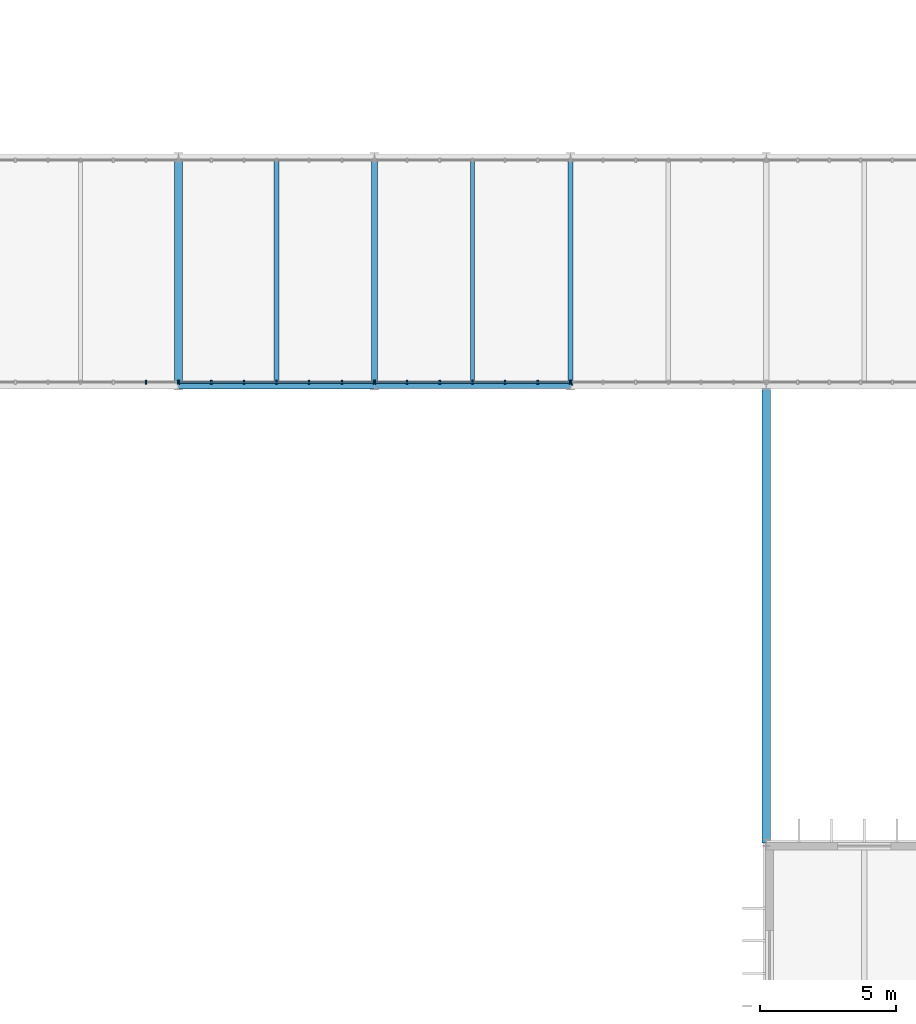
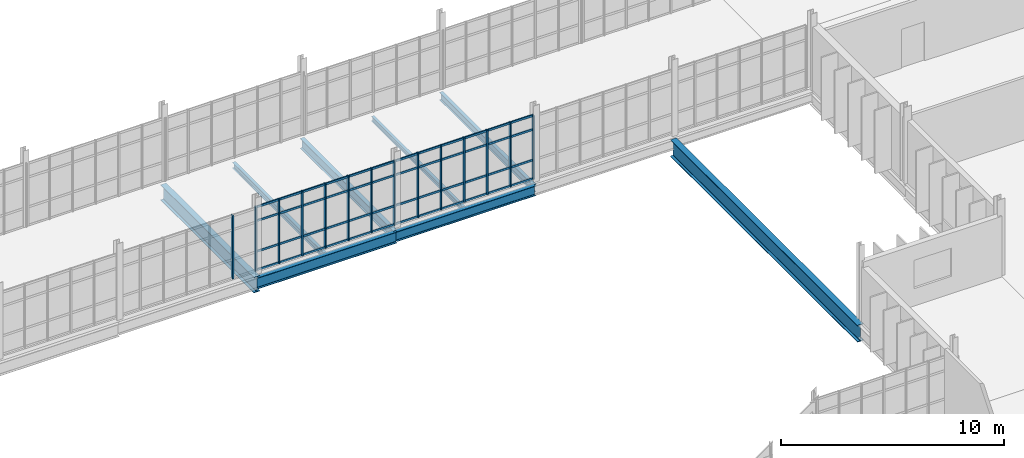
# One storey, part 38 of 119: 25 members, 8 beams, 4 elements without a shape of their own.
"""IFC4 building model written with IfcOpenShell, lengths in metres."""

from ifc_helpers import new_model, si_unit, direction, frame, origin, origin_2d, place, context, subcontext, project, spatial, rectangle, i_section, extrude, material, material_profile, profile_set, type_object, element, aggregate, save


model = new_model("IFC4")

# Units and contexts
model_context = context("Model", 3, precision=1e-05, world=origin(), true_north=direction((0.0, 1.0)))
body_context = subcontext(model_context, "Body", "Model", "MODEL_VIEW")
ifc_project = project(units=[si_unit("LENGTHUNIT", "METRE"), si_unit("AREAUNIT", "SQUARE_METRE"), si_unit("VOLUMEUNIT", "CUBIC_METRE"), si_unit("PLANEANGLEUNIT", "RADIAN"), si_unit("MASSUNIT", "GRAM", prefix="KILO")], contexts=[model_context])

# Site, building, storey
site_placement = place(None, origin())
site = spatial("IfcSite", under=ifc_project, at=site_placement, CompositionType="ELEMENT")
building_placement = place(site_placement, origin())
building = spatial("IfcBuilding", under=site, at=building_placement, Name="Qelthora Terrace Specialist Clinic", CompositionType="ELEMENT")
storey_placement = place(building_placement, frame((0.0, 0.0, 4.800048828125)))
storey = spatial("IfcBuildingStorey", under=building, at=storey_placement, Name="L01", CompositionType="ELEMENT", Elevation=4.800048828125)

# Beams
ifc_material_1 = material(Name="Steel S355", Category="steel")
ifc_material_profile_1 = material_profile(ifc_material_1, i_section(OverallWidth=0.179931640625, OverallDepth=0.4130859375, WebThickness=0.009765625, FlangeThickness=0.01611328125, FilletRadius=0.011962890625, at=origin_2d()), Name="W410X75")
ifc_profile_set_1 = profile_set([ifc_material_profile_1], Name="Steel S355")
beam_type_1 = type_object("IfcBeamType", Name="BM-W410X75", PredefinedType="BEAM", material=ifc_profile_set_1)
beam_1_placement = place(storey_placement, frame((79.199951171875, 58.800048828125, -0.45654296875), z_axis=(0.0, 1.0, 0.0), x_axis=(-1.0, 0.0, 0.0)))
element("IfcBeam", 1, at=beam_1_placement, inside=storey, type_object=beam_type_1, Name="Girder BMY-L01-0439", PredefinedType="BEAM", context=body_context, shape_type="SweptSolid", body=[
    extrude(i_section(OverallWidth=0.179931640625, OverallDepth=0.4130859375, WebThickness=0.009765625, FlangeThickness=0.01611328125, FilletRadius=0.011962890625, at=origin_2d()), origin(), (0.0, 0.0, 1.0), 8.39990234375),
])
ifc_material_profile_2 = material_profile(ifc_material_1, i_section(OverallWidth=0.2119140625, OverallDepth=0.5439453125, WebThickness=0.01318359375, FlangeThickness=0.021240234375, FilletRadius=0.013916015625, at=origin_2d()), Name="W530X123")
ifc_profile_set_2 = profile_set([ifc_material_profile_2], Name="Steel S355")
beam_type_2 = type_object("IfcBeamType", Name="BM-W530X123", PredefinedType="BEAM", material=ifc_profile_set_2)
beam_2_placement = place(storey_placement, frame((72.0, 58.800048828125, -0.52197265625), z_axis=(1.0, 0.0, 0.0), x_axis=(0.0, 1.0, 0.0)))
element("IfcBeam", 2, at=beam_2_placement, inside=storey, type_object=beam_type_2, Name="Girder BMX-L01-0243", PredefinedType="BEAM", context=body_context, shape_type="SweptSolid", body=[
    extrude(i_section(OverallWidth=0.2119140625, OverallDepth=0.5439453125, WebThickness=0.01318359375, FlangeThickness=0.021240234375, FilletRadius=0.013916015625, at=origin_2d()), origin(), (0.0, 0.0, 1.0), 7.199951171875),
])
beam_3_placement = place(storey_placement, frame((72.0, 58.800048828125, -0.52197265625), z_axis=(0.0, 1.0, 0.0), x_axis=(-1.0, 0.0, 0.0)))
element("IfcBeam", 3, at=beam_3_placement, inside=storey, type_object=beam_type_2, Name="Girder BMY-L01-0435", PredefinedType="BEAM", context=body_context, shape_type="SweptSolid", body=[
    extrude(i_section(OverallWidth=0.2119140625, OverallDepth=0.5439453125, WebThickness=0.01318359375, FlangeThickness=0.021240234375, FilletRadius=0.013916015625, at=origin_2d()), origin(), (0.0, 0.0, 1.0), 8.39990234375),
])
ifc_material_profile_3 = material_profile(ifc_material_1, i_section(OverallWidth=0.22900390625, OverallDepth=0.612060546875, WebThickness=0.011962890625, FlangeThickness=0.01953125, FilletRadius=0.01611328125, at=origin_2d()), Name="W610X125")
ifc_profile_set_3 = profile_set([ifc_material_profile_3], Name="Steel S355")
beam_type_3 = type_object("IfcBeamType", Name="BM-W610X125", PredefinedType="BEAM", material=ifc_profile_set_3)
beam_4_placement = place(storey_placement, frame((64.800048828125, 58.800048828125, -0.55615234375), z_axis=(1.0, 0.0, 0.0), x_axis=(0.0, 1.0, 0.0)))
element("IfcBeam", 4, at=beam_4_placement, inside=storey, type_object=beam_type_3, Name="Girder BMX-L01-0242", PredefinedType="BEAM", context=body_context, shape_type="SweptSolid", body=[
    extrude(i_section(OverallWidth=0.22900390625, OverallDepth=0.612060546875, WebThickness=0.011962890625, FlangeThickness=0.01953125, FilletRadius=0.01611328125, at=origin_2d()), origin(), (0.0, 0.0, 1.0), 7.199951171875),
])
ifc_material_profile_4 = material_profile(ifc_material_1, i_section(OverallWidth=0.2939453125, OverallDepth=0.85107421875, WebThickness=0.01611328125, FlangeThickness=0.02685546875, FilletRadius=0.02001953125, at=origin_2d()), Name="W840X226")
ifc_profile_set_4 = profile_set([ifc_material_profile_4], Name="Steel S355")
beam_type_4 = type_object("IfcBeamType", Name="BM-W840X226", PredefinedType="BEAM", material=ifc_profile_set_4)
beam_5_placement = place(storey_placement, frame((64.800048828125, 58.800048828125, -0.675537109375), z_axis=(0.0, 1.0, 0.0), x_axis=(-1.0, 0.0, 0.0)))
element("IfcBeam", 5, at=beam_5_placement, inside=storey, type_object=beam_type_4, Name="Girder BMY-L01-0431", PredefinedType="BEAM", context=body_context, shape_type="SweptSolid", body=[
    extrude(i_section(OverallWidth=0.2939453125, OverallDepth=0.85107421875, WebThickness=0.01611328125, FlangeThickness=0.02685546875, FilletRadius=0.02001953125, at=origin_2d()), origin(), (0.0, 0.0, 1.0), 8.39990234375),
])
ifc_material_profile_5 = material_profile(ifc_material_1, i_section(OverallWidth=0.30810546875, OverallDepth=0.927001953125, WebThickness=0.019287109375, FlangeThickness=0.031982421875, FilletRadius=0.02197265625, at=origin_2d()), Name="W920X289")
ifc_profile_set_5 = profile_set([ifc_material_profile_5], Name="Steel S355")
beam_type_5 = type_object("IfcBeamType", Name="BM-W920X289", PredefinedType="BEAM", material=ifc_profile_set_5)
beam_6_placement = place(storey_placement, frame((86.39990234375, 42.0, -0.713623046875), z_axis=(0.0, 1.0, 0.0), x_axis=(-1.0, 0.0, 0.0)))
element("IfcBeam", 6, at=beam_6_placement, inside=storey, type_object=beam_type_5, Name="Girder BMY-L01-0444", PredefinedType="BEAM", context=body_context, shape_type="SweptSolid", body=[
    extrude(i_section(OverallWidth=0.30810546875, OverallDepth=0.927001953125, WebThickness=0.019287109375, FlangeThickness=0.031982421875, FilletRadius=0.02197265625, at=origin_2d()), origin(), (0.0, 0.0, 1.0), 16.800048828125),
])

# Curtain wall, members
ifc_material_2 = material(Name="Aluminium anodized bronze", Category="aluminium")
curtain_wall_type = type_object("IfcCurtainWallType", Name="CW-BRG-L01", PredefinedType="NOTDEFINED", material=ifc_material_2)
curtain_wall_1_placement = place(storey_placement, origin())
curtain_wall_1 = element("IfcCurtainWall", 7, at=curtain_wall_1_placement, inside=storey, type_object=curtain_wall_type, Name="Curtain wall CW-L01-229", PredefinedType="NOTDEFINED")
ifc_material_profile_6 = material_profile(ifc_material_2, rectangle(XDim=0.06005859375, YDim=0.14990234375, at=origin_2d()), Name="CWM60X150")
ifc_profile_set_6 = profile_set([ifc_material_profile_6], Name="Aluminium anodized bronze")
member_type_1 = type_object("IfcMemberType", Name="CWM-60X150", PredefinedType="MULLION", material=ifc_profile_set_6)
member_1_placement = place(storey_placement, frame((63.60009765625, 58.919921875, 0.0), z_axis=(0.0, 0.0, 1.0), x_axis=(1.0, 0.0, 0.0)))
member_1 = element("IfcMember", 8, at=member_1_placement, type_object=member_type_1, Name="CW-L01-229 mullion 6", PredefinedType="MULLION", context=body_context, shape_type="SweptSolid", body=[
    extrude(rectangle(XDim=0.06005859375, YDim=0.14990234375, at=origin_2d()), origin(), (0.0, 0.0, 1.0), 3.48193359375),
])
member_2_placement = place(storey_placement, frame((64.780029296875, 58.919921875, 0.0), z_axis=(0.0, 0.0, 1.0), x_axis=(1.0, 0.0, 0.0)))
member_2 = element("IfcMember", 9, at=member_2_placement, type_object=member_type_1, Name="CW-L01-229 mullion 7", PredefinedType="MULLION", context=body_context, shape_type="SweptSolid", body=[
    extrude(rectangle(XDim=0.06005859375, YDim=0.14990234375, at=origin_2d()), origin(), (0.0, 0.0, 1.0), 3.48193359375),
])
aggregate(curtain_wall_1, [member_1, member_2])

curtain_wall_2_placement = place(storey_placement, origin())
curtain_wall_2 = element("IfcCurtainWall", 10, at=curtain_wall_2_placement, inside=storey, type_object=curtain_wall_type, Name="Curtain wall CW-L01-230", PredefinedType="NOTDEFINED")
member_3_placement = place(storey_placement, frame((64.820068359375, 58.919921875, 0.0), z_axis=(0.0, 0.0, 1.0), x_axis=(1.0, 0.0, 0.0)))
member_3 = element("IfcMember", 11, at=member_3_placement, type_object=member_type_1, Name="CW-L01-230 mullion 1", PredefinedType="MULLION", context=body_context, shape_type="SweptSolid", body=[
    extrude(rectangle(XDim=0.06005859375, YDim=0.14990234375, at=origin_2d()), origin(), (0.0, 0.0, 1.0), 3.529052734375),
])
member_4_placement = place(storey_placement, frame((66.0, 58.919921875, 0.0), z_axis=(0.0, 0.0, 1.0), x_axis=(1.0, 0.0, 0.0)))
member_4 = element("IfcMember", 12, at=member_4_placement, type_object=member_type_1, Name="CW-L01-230 mullion 2", PredefinedType="MULLION", context=body_context, shape_type="SweptSolid", body=[
    extrude(rectangle(XDim=0.06005859375, YDim=0.14990234375, at=origin_2d()), origin(), (0.0, 0.0, 1.0), 3.529052734375),
])
member_5_placement = place(storey_placement, frame((67.199951171875, 58.919921875, 0.0), z_axis=(0.0, 0.0, 1.0), x_axis=(1.0, 0.0, 0.0)))
member_5 = element("IfcMember", 13, at=member_5_placement, type_object=member_type_1, Name="CW-L01-230 mullion 3", PredefinedType="MULLION", context=body_context, shape_type="SweptSolid", body=[
    extrude(rectangle(XDim=0.06005859375, YDim=0.14990234375, at=origin_2d()), origin(), (0.0, 0.0, 1.0), 3.529052734375),
])
member_6_placement = place(storey_placement, frame((68.39990234375, 58.919921875, 0.0), z_axis=(0.0, 0.0, 1.0), x_axis=(1.0, 0.0, 0.0)))
member_6 = element("IfcMember", 14, at=member_6_placement, type_object=member_type_1, Name="CW-L01-230 mullion 4", PredefinedType="MULLION", context=body_context, shape_type="SweptSolid", body=[
    extrude(rectangle(XDim=0.06005859375, YDim=0.14990234375, at=origin_2d()), origin(), (0.0, 0.0, 1.0), 3.529052734375),
])
member_7_placement = place(storey_placement, frame((69.60009765625, 58.919921875, 0.0), z_axis=(0.0, 0.0, 1.0), x_axis=(1.0, 0.0, 0.0)))
member_7 = element("IfcMember", 15, at=member_7_placement, type_object=member_type_1, Name="CW-L01-230 mullion 5", PredefinedType="MULLION", context=body_context, shape_type="SweptSolid", body=[
    extrude(rectangle(XDim=0.06005859375, YDim=0.14990234375, at=origin_2d()), origin(), (0.0, 0.0, 1.0), 3.529052734375),
])
member_8_placement = place(storey_placement, frame((70.800048828125, 58.919921875, 0.0), z_axis=(0.0, 0.0, 1.0), x_axis=(1.0, 0.0, 0.0)))
member_8 = element("IfcMember", 16, at=member_8_placement, type_object=member_type_1, Name="CW-L01-230 mullion 6", PredefinedType="MULLION", context=body_context, shape_type="SweptSolid", body=[
    extrude(rectangle(XDim=0.06005859375, YDim=0.14990234375, at=origin_2d()), origin(), (0.0, 0.0, 1.0), 3.529052734375),
])
member_9_placement = place(storey_placement, frame((71.97998046875, 58.919921875, 0.0), z_axis=(0.0, 0.0, 1.0), x_axis=(1.0, 0.0, 0.0)))
member_9 = element("IfcMember", 17, at=member_9_placement, type_object=member_type_1, Name="CW-L01-230 mullion 7", PredefinedType="MULLION", context=body_context, shape_type="SweptSolid", body=[
    extrude(rectangle(XDim=0.06005859375, YDim=0.14990234375, at=origin_2d()), origin(), (0.0, 0.0, 1.0), 3.529052734375),
])

curtain_wall_3_placement = place(storey_placement, origin())
curtain_wall_3 = element("IfcCurtainWall", 18, at=curtain_wall_3_placement, inside=storey, type_object=curtain_wall_type, Name="Curtain wall CW-L01-231", PredefinedType="NOTDEFINED")
member_10_placement = place(storey_placement, frame((72.02001953125, 58.919921875, 0.0), z_axis=(0.0, 0.0, 1.0), x_axis=(1.0, 0.0, 0.0)))
member_10 = element("IfcMember", 19, at=member_10_placement, type_object=member_type_1, Name="CW-L01-231 mullion 1", PredefinedType="MULLION", context=body_context, shape_type="SweptSolid", body=[
    extrude(rectangle(XDim=0.06005859375, YDim=0.14990234375, at=origin_2d()), origin(), (0.0, 0.0, 1.0), 3.529052734375),
])
member_11_placement = place(storey_placement, frame((73.199951171875, 58.919921875, 0.0), z_axis=(0.0, 0.0, 1.0), x_axis=(1.0, 0.0, 0.0)))
member_11 = element("IfcMember", 20, at=member_11_placement, type_object=member_type_1, Name="CW-L01-231 mullion 2", PredefinedType="MULLION", context=body_context, shape_type="SweptSolid", body=[
    extrude(rectangle(XDim=0.06005859375, YDim=0.14990234375, at=origin_2d()), origin(), (0.0, 0.0, 1.0), 3.529052734375),
])
member_12_placement = place(storey_placement, frame((74.39990234375, 58.919921875, 0.0), z_axis=(0.0, 0.0, 1.0), x_axis=(1.0, 0.0, 0.0)))
member_12 = element("IfcMember", 21, at=member_12_placement, type_object=member_type_1, Name="CW-L01-231 mullion 3", PredefinedType="MULLION", context=body_context, shape_type="SweptSolid", body=[
    extrude(rectangle(XDim=0.06005859375, YDim=0.14990234375, at=origin_2d()), origin(), (0.0, 0.0, 1.0), 3.529052734375),
])
member_13_placement = place(storey_placement, frame((75.60009765625, 58.919921875, 0.0), z_axis=(0.0, 0.0, 1.0), x_axis=(1.0, 0.0, 0.0)))
member_13 = element("IfcMember", 22, at=member_13_placement, type_object=member_type_1, Name="CW-L01-231 mullion 4", PredefinedType="MULLION", context=body_context, shape_type="SweptSolid", body=[
    extrude(rectangle(XDim=0.06005859375, YDim=0.14990234375, at=origin_2d()), origin(), (0.0, 0.0, 1.0), 3.529052734375),
])
member_14_placement = place(storey_placement, frame((76.800048828125, 58.919921875, 0.0), z_axis=(0.0, 0.0, 1.0), x_axis=(1.0, 0.0, 0.0)))
member_14 = element("IfcMember", 23, at=member_14_placement, type_object=member_type_1, Name="CW-L01-231 mullion 5", PredefinedType="MULLION", context=body_context, shape_type="SweptSolid", body=[
    extrude(rectangle(XDim=0.06005859375, YDim=0.14990234375, at=origin_2d()), origin(), (0.0, 0.0, 1.0), 3.529052734375),
])
member_15_placement = place(storey_placement, frame((78.0, 58.919921875, 0.0), z_axis=(0.0, 0.0, 1.0), x_axis=(1.0, 0.0, 0.0)))
member_15 = element("IfcMember", 24, at=member_15_placement, type_object=member_type_1, Name="CW-L01-231 mullion 6", PredefinedType="MULLION", context=body_context, shape_type="SweptSolid", body=[
    extrude(rectangle(XDim=0.06005859375, YDim=0.14990234375, at=origin_2d()), origin(), (0.0, 0.0, 1.0), 3.529052734375),
])
member_16_placement = place(storey_placement, frame((79.179931640625, 58.919921875, 0.0), z_axis=(0.0, 0.0, 1.0), x_axis=(1.0, 0.0, 0.0)))
member_16 = element("IfcMember", 25, at=member_16_placement, type_object=member_type_1, Name="CW-L01-231 mullion 7", PredefinedType="MULLION", context=body_context, shape_type="SweptSolid", body=[
    extrude(rectangle(XDim=0.06005859375, YDim=0.14990234375, at=origin_2d()), origin(), (0.0, 0.0, 1.0), 3.529052734375),
])

# Curtain wall, member
curtain_wall_4_placement = place(storey_placement, origin())
curtain_wall_4 = element("IfcCurtainWall", 26, at=curtain_wall_4_placement, inside=storey, type_object=curtain_wall_type, Name="Curtain wall CW-L01-232", PredefinedType="NOTDEFINED")
member_17_placement = place(storey_placement, frame((79.219970703125, 58.919921875, 0.0), z_axis=(0.0, 0.0, 1.0), x_axis=(1.0, 0.0, 0.0)))
member_17 = element("IfcMember", 27, at=member_17_placement, type_object=member_type_1, Name="CW-L01-232 mullion 1", PredefinedType="MULLION", context=body_context, shape_type="SweptSolid", body=[
    extrude(rectangle(XDim=0.06005859375, YDim=0.14990234375, at=origin_2d()), origin(), (0.0, 0.0, 1.0), 3.48193359375),
])
aggregate(curtain_wall_4, [member_17])

# Member
ifc_material_profile_7 = material_profile(ifc_material_2, rectangle(XDim=0.06005859375, YDim=0.110107421875, at=origin_2d()), Name="CWT60X110")
ifc_profile_set_7 = profile_set([ifc_material_profile_7], Name="Aluminium anodized bronze")
member_type_2 = type_object("IfcMemberType", Name="CWT-60X110", PredefinedType="USERDEFINED", material=ifc_profile_set_7)
member_18_placement = place(storey_placement, frame((64.840087890625, 58.919921875, 0.0400390625), z_axis=(1.0, 0.0, 0.0), x_axis=(0.0, 1.0, 0.0)))
member_18 = element("IfcMember", 28, at=member_18_placement, type_object=member_type_2, Name="CW-L01-230 transom 1", ObjectType="TRANSOM", PredefinedType="USERDEFINED", context=body_context, shape_type="SweptSolid", body=[
    extrude(rectangle(XDim=0.06005859375, YDim=0.110107421875, at=origin_2d()), origin(), (0.0, 0.0, 1.0), 7.119873046875),
])

member_19_placement = place(storey_placement, frame((64.840087890625, 58.919921875, 1.050048828125), z_axis=(1.0, 0.0, 0.0), x_axis=(0.0, 1.0, 0.0)))
member_19 = element("IfcMember", 29, at=member_19_placement, type_object=member_type_2, Name="CW-L01-230 transom 2", ObjectType="TRANSOM", PredefinedType="USERDEFINED", context=body_context, shape_type="SweptSolid", body=[
    extrude(rectangle(XDim=0.06005859375, YDim=0.110107421875, at=origin_2d()), origin(), (0.0, 0.0, 1.0), 7.119873046875),
])

member_20_placement = place(storey_placement, frame((64.840087890625, 58.919921875, 2.72900390625), z_axis=(1.0, 0.0, 0.0), x_axis=(0.0, 1.0, 0.0)))
member_20 = element("IfcMember", 30, at=member_20_placement, type_object=member_type_2, Name="CW-L01-230 transom 3", ObjectType="TRANSOM", PredefinedType="USERDEFINED", context=body_context, shape_type="SweptSolid", body=[
    extrude(rectangle(XDim=0.06005859375, YDim=0.110107421875, at=origin_2d()), origin(), (0.0, 0.0, 1.0), 7.119873046875),
])

member_21_placement = place(storey_placement, frame((64.840087890625, 58.919921875, 3.489013671875), z_axis=(1.0, 0.0, 0.0), x_axis=(0.0, 1.0, 0.0)))
member_21 = element("IfcMember", 31, at=member_21_placement, type_object=member_type_2, Name="CW-L01-230 transom 4", ObjectType="TRANSOM", PredefinedType="USERDEFINED", context=body_context, shape_type="SweptSolid", body=[
    extrude(rectangle(XDim=0.06005859375, YDim=0.110107421875, at=origin_2d()), origin(), (0.0, 0.0, 1.0), 7.119873046875),
])

aggregate(curtain_wall_2, [member_3, member_4, member_5, member_6, member_7, member_8, member_9, member_18, member_19, member_20, member_21])

member_22_placement = place(storey_placement, frame((72.0400390625, 58.919921875, 0.0400390625), z_axis=(1.0, 0.0, 0.0), x_axis=(0.0, 1.0, 0.0)))
member_22 = element("IfcMember", 32, at=member_22_placement, type_object=member_type_2, Name="CW-L01-231 transom 1", ObjectType="TRANSOM", PredefinedType="USERDEFINED", context=body_context, shape_type="SweptSolid", body=[
    extrude(rectangle(XDim=0.06005859375, YDim=0.110107421875, at=origin_2d()), origin(), (0.0, 0.0, 1.0), 7.119873046875),
])

member_23_placement = place(storey_placement, frame((72.0400390625, 58.919921875, 1.050048828125), z_axis=(1.0, 0.0, 0.0), x_axis=(0.0, 1.0, 0.0)))
member_23 = element("IfcMember", 33, at=member_23_placement, type_object=member_type_2, Name="CW-L01-231 transom 2", ObjectType="TRANSOM", PredefinedType="USERDEFINED", context=body_context, shape_type="SweptSolid", body=[
    extrude(rectangle(XDim=0.06005859375, YDim=0.110107421875, at=origin_2d()), origin(), (0.0, 0.0, 1.0), 7.119873046875),
])

member_24_placement = place(storey_placement, frame((72.0400390625, 58.919921875, 2.72900390625), z_axis=(1.0, 0.0, 0.0), x_axis=(0.0, 1.0, 0.0)))
member_24 = element("IfcMember", 34, at=member_24_placement, type_object=member_type_2, Name="CW-L01-231 transom 3", ObjectType="TRANSOM", PredefinedType="USERDEFINED", context=body_context, shape_type="SweptSolid", body=[
    extrude(rectangle(XDim=0.06005859375, YDim=0.110107421875, at=origin_2d()), origin(), (0.0, 0.0, 1.0), 7.119873046875),
])

member_25_placement = place(storey_placement, frame((72.0400390625, 58.919921875, 3.489013671875), z_axis=(1.0, 0.0, 0.0), x_axis=(0.0, 1.0, 0.0)))
member_25 = element("IfcMember", 35, at=member_25_placement, type_object=member_type_2, Name="CW-L01-231 transom 4", ObjectType="TRANSOM", PredefinedType="USERDEFINED", context=body_context, shape_type="SweptSolid", body=[
    extrude(rectangle(XDim=0.06005859375, YDim=0.110107421875, at=origin_2d()), origin(), (0.0, 0.0, 1.0), 7.119873046875),
])

aggregate(curtain_wall_3, [member_10, member_11, member_12, member_13, member_14, member_15, member_16, member_22, member_23, member_24, member_25])

# Beams
ifc_material_profile_8 = material_profile(ifc_material_1, i_section(OverallWidth=0.14599609375, OverallDepth=0.258056640625, WebThickness=0.006103515625, FlangeThickness=0.009033203125, FilletRadius=0.009033203125, at=origin_2d()), Name="W250X33")
ifc_profile_set_8 = profile_set([ifc_material_profile_8], Name="Steel S355")
beam_type_6 = type_object("IfcBeamType", Name="JST-W250X33", PredefinedType="JOIST", material=ifc_profile_set_8)
beam_7_placement = place(storey_placement, frame((75.60009765625, 58.906005859375, -0.379150390625), z_axis=(0.0, 1.0, 0.0), x_axis=(-1.0, 0.0, 0.0)))
element("IfcBeam", 36, at=beam_7_placement, inside=storey, type_object=beam_type_6, Name="Composite floor joist JST-L01-0096", PredefinedType="JOIST", context=body_context, shape_type="SweptSolid", body=[
    extrude(i_section(OverallWidth=0.14599609375, OverallDepth=0.258056640625, WebThickness=0.006103515625, FlangeThickness=0.009033203125, FilletRadius=0.009033203125, at=origin_2d()), origin(), (0.0, 0.0, 1.0), 8.198486328125),
])
ifc_material_profile_9 = material_profile(ifc_material_1, i_section(OverallWidth=0.166015625, OverallDepth=0.31298828125, WebThickness=0.006591796875, FlangeThickness=0.01123046875, FilletRadius=0.010009765625, at=origin_2d()), Name="W310X45")
ifc_profile_set_9 = profile_set([ifc_material_profile_9], Name="Steel S355")
beam_type_7 = type_object("IfcBeamType", Name="JST-W310X45", PredefinedType="JOIST", material=ifc_profile_set_9)
beam_8_placement = place(storey_placement, frame((68.39990234375, 58.91455078125, -0.406494140625), z_axis=(0.0, 1.0, 0.0), x_axis=(-1.0, 0.0, 0.0)))
element("IfcBeam", 37, at=beam_8_placement, inside=storey, type_object=beam_type_7, Name="Composite floor joist JST-L01-0094", PredefinedType="JOIST", context=body_context, shape_type="SweptSolid", body=[
    extrude(i_section(OverallWidth=0.166015625, OverallDepth=0.31298828125, WebThickness=0.006591796875, FlangeThickness=0.01123046875, FilletRadius=0.010009765625, at=origin_2d()), origin(), (0.0, 0.0, 1.0), 8.18896484375),
])

save(model, "model.ifc")
